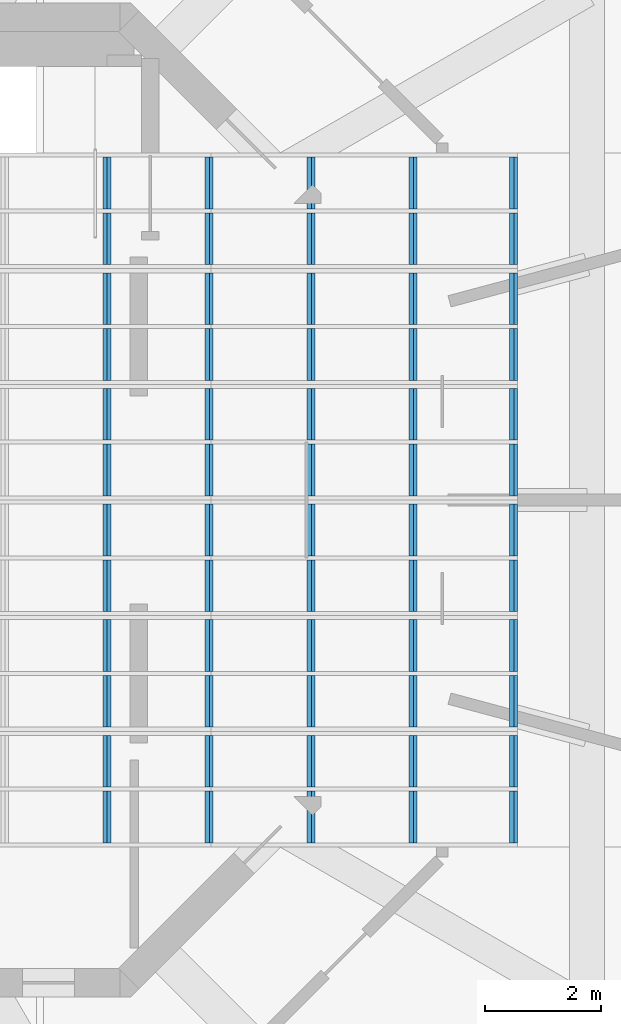
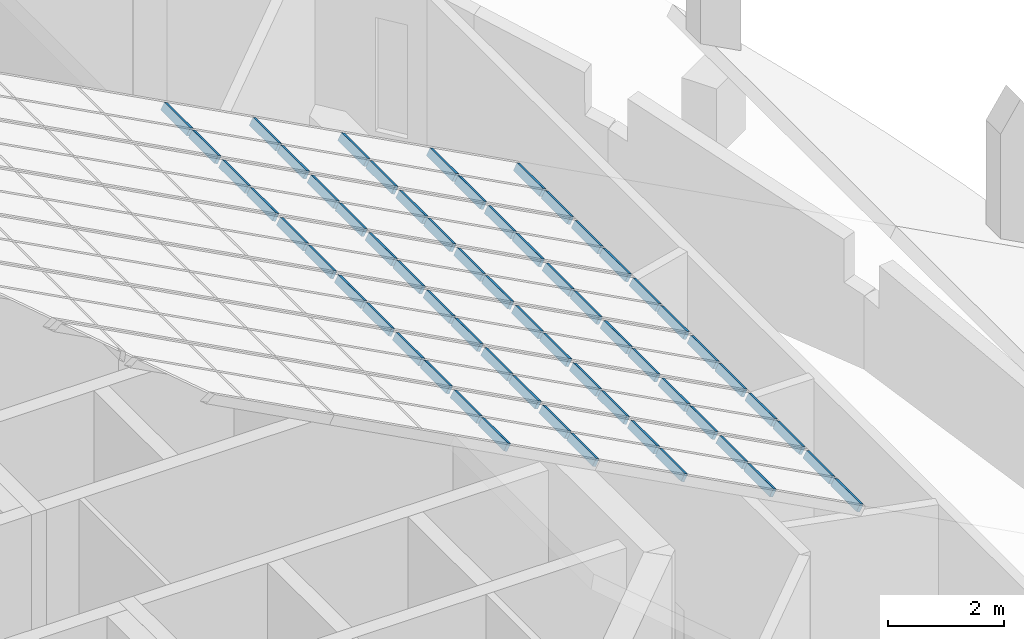
# One storey, part 7 of 19: 60 members, 6 elements without a shape of their own.
"""IFC4 building model written with IfcOpenShell, lengths in metres."""

from ifc_helpers import new_model, si_unit, direction, frame, origin, origin_2d, place, context, subcontext, project, spatial, rectangle, extrude, material, material_profile, profile_set, type_object, element, aggregate, save


model = new_model("IFC4")

# Units and contexts
model_context = context("Model", 3, precision=1e-05, world=origin(), true_north=direction((0.0, 1.0)))
body_context = subcontext(model_context, "Body", "Model", "MODEL_VIEW")
ifc_project = project(units=[si_unit("LENGTHUNIT", "METRE"), si_unit("AREAUNIT", "SQUARE_METRE"), si_unit("VOLUMEUNIT", "CUBIC_METRE"), si_unit("PLANEANGLEUNIT", "RADIAN"), si_unit("MASSUNIT", "GRAM", prefix="KILO")], contexts=[model_context])

# Site, building, storey
site_placement = place(None, origin())
site = spatial("IfcSite", under=ifc_project, at=site_placement, CompositionType="ELEMENT")
building_placement = place(site_placement, origin())
building = spatial("IfcBuilding", under=site, at=building_placement, Name="Torre Triforio", CompositionType="ELEMENT")
storey_placement = place(building_placement, frame((0.0, 0.0, 290.800048828125)))
storey = spatial("IfcBuildingStorey", under=building, at=storey_placement, Name="RF-1", CompositionType="ELEMENT", Elevation=290.800048828125)

# Curtain wall, members
ifc_material_1 = material(Name="Aluminium glazing bars with clear laminated glass", Category="aluminium")
curtain_wall_type = type_object("IfcCurtainWallType", Name="Crown lantern glazing CW4", PredefinedType="NOTDEFINED", material=ifc_material_1)
curtain_wall_1_placement = place(storey_placement, origin())
curtain_wall_1 = element("IfcCurtainWall", 1, at=curtain_wall_1_placement, inside=storey, type_object=curtain_wall_type, Name="Crown lantern run 1", PredefinedType="NOTDEFINED")
ifc_material_2 = material(Name="Anodised aluminium extrusion", Category="aluminium")
ifc_material_profile = material_profile(ifc_material_2, rectangle(XDim=0.070068359375, YDim=0.159912109375, at=origin_2d()), Name="CW4 TRANSOM 70x160")
ifc_profile_set = profile_set([ifc_material_profile], Name="Anodised aluminium extrusion")
member_type = type_object("IfcMemberType", Name="CW4 transom 70 x 160", PredefinedType="USERDEFINED", material=ifc_profile_set)
member_1_placement = place(storey_placement, frame((13.931396484375, -5.929931640625, 6.0869140625), z_axis=(0.0, 1.0, 0.0), x_axis=(-0.882947592859, 0.0, 0.469471562786)))
member_1 = element("IfcMember", 2, at=member_1_placement, type_object=member_type, Name="CW4 transom 1.1.1", ObjectType="TRANSOM", PredefinedType="USERDEFINED", context=body_context, shape_type="SweptSolid", body=[
    extrude(rectangle(XDim=0.070068359375, YDim=0.159912109375, at=origin_2d()), origin(), (0.0, 0.0, 1.0), 0.89501953125),
])
member_2_placement = place(storey_placement, frame((13.931396484375, -4.965087890625, 6.0869140625), z_axis=(0.0, 1.0, 0.0), x_axis=(-0.882947592859, 0.0, 0.469471562786)))
member_2 = element("IfcMember", 3, at=member_2_placement, type_object=member_type, Name="CW4 transom 1.1.2", ObjectType="TRANSOM", PredefinedType="USERDEFINED", context=body_context, shape_type="SweptSolid", body=[
    extrude(rectangle(XDim=0.070068359375, YDim=0.159912109375, at=origin_2d()), origin(), (0.0, 0.0, 1.0), 0.89501953125),
])
member_3_placement = place(storey_placement, frame((12.196533203125, -5.929931640625, 7.009521484375), z_axis=(0.0, 1.0, 0.0), x_axis=(-0.882947592859, 0.0, 0.469471562786)))
member_3 = element("IfcMember", 4, at=member_3_placement, type_object=member_type, Name="CW4 transom 1.2.1", ObjectType="TRANSOM", PredefinedType="USERDEFINED", context=body_context, shape_type="SweptSolid", body=[
    extrude(rectangle(XDim=0.070068359375, YDim=0.159912109375, at=origin_2d()), origin(), (0.0, 0.0, 1.0), 0.89501953125),
])
member_4_placement = place(storey_placement, frame((12.196533203125, -4.965087890625, 7.009521484375), z_axis=(0.0, 1.0, 0.0), x_axis=(-0.882947592859, 0.0, 0.469471562786)))
member_4 = element("IfcMember", 5, at=member_4_placement, type_object=member_type, Name="CW4 transom 1.2.2", ObjectType="TRANSOM", PredefinedType="USERDEFINED", context=body_context, shape_type="SweptSolid", body=[
    extrude(rectangle(XDim=0.070068359375, YDim=0.159912109375, at=origin_2d()), origin(), (0.0, 0.0, 1.0), 0.89501953125),
])
member_5_placement = place(storey_placement, frame((10.4306640625, -5.929931640625, 7.948486328125), z_axis=(0.0, 1.0, 0.0), x_axis=(-0.882947592859, 0.0, 0.469471562786)))
member_5 = element("IfcMember", 6, at=member_5_placement, type_object=member_type, Name="CW4 transom 1.3.1", ObjectType="TRANSOM", PredefinedType="USERDEFINED", context=body_context, shape_type="SweptSolid", body=[
    extrude(rectangle(XDim=0.070068359375, YDim=0.159912109375, at=origin_2d()), origin(), (0.0, 0.0, 1.0), 0.89501953125),
])
member_6_placement = place(storey_placement, frame((10.4306640625, -4.965087890625, 7.948486328125), z_axis=(0.0, 1.0, 0.0), x_axis=(-0.882947592859, 0.0, 0.469471562786)))
member_6 = element("IfcMember", 7, at=member_6_placement, type_object=member_type, Name="CW4 transom 1.3.2", ObjectType="TRANSOM", PredefinedType="USERDEFINED", context=body_context, shape_type="SweptSolid", body=[
    extrude(rectangle(XDim=0.070068359375, YDim=0.159912109375, at=origin_2d()), origin(), (0.0, 0.0, 1.0), 0.89501953125),
])
member_7_placement = place(storey_placement, frame((8.664794921875, -5.929931640625, 8.887451171875), z_axis=(0.0, 1.0, 0.0), x_axis=(-0.882947592859, 0.0, 0.469471562786)))
member_7 = element("IfcMember", 8, at=member_7_placement, type_object=member_type, Name="CW4 transom 1.4.1", ObjectType="TRANSOM", PredefinedType="USERDEFINED", context=body_context, shape_type="SweptSolid", body=[
    extrude(rectangle(XDim=0.070068359375, YDim=0.159912109375, at=origin_2d()), origin(), (0.0, 0.0, 1.0), 0.89501953125),
])
member_8_placement = place(storey_placement, frame((8.664794921875, -4.965087890625, 8.887451171875), z_axis=(0.0, 1.0, 0.0), x_axis=(-0.882947592859, 0.0, 0.469471562786)))
member_8 = element("IfcMember", 9, at=member_8_placement, type_object=member_type, Name="CW4 transom 1.4.2", ObjectType="TRANSOM", PredefinedType="USERDEFINED", context=body_context, shape_type="SweptSolid", body=[
    extrude(rectangle(XDim=0.070068359375, YDim=0.159912109375, at=origin_2d()), origin(), (0.0, 0.0, 1.0), 0.89501953125),
])
member_9_placement = place(storey_placement, frame((6.89892578125, -5.929931640625, 9.826416015625), z_axis=(0.0, 1.0, 0.0), x_axis=(-0.882947592859, 0.0, 0.469471562786)))
member_9 = element("IfcMember", 10, at=member_9_placement, type_object=member_type, Name="CW4 transom 1.5.1", ObjectType="TRANSOM", PredefinedType="USERDEFINED", context=body_context, shape_type="SweptSolid", body=[
    extrude(rectangle(XDim=0.070068359375, YDim=0.159912109375, at=origin_2d()), origin(), (0.0, 0.0, 1.0), 0.89501953125),
])
member_10_placement = place(storey_placement, frame((6.89892578125, -4.965087890625, 9.826416015625), z_axis=(0.0, 1.0, 0.0), x_axis=(-0.882947592859, 0.0, 0.469471562786)))
member_10 = element("IfcMember", 11, at=member_10_placement, type_object=member_type, Name="CW4 transom 1.5.2", ObjectType="TRANSOM", PredefinedType="USERDEFINED", context=body_context, shape_type="SweptSolid", body=[
    extrude(rectangle(XDim=0.070068359375, YDim=0.159912109375, at=origin_2d()), origin(), (0.0, 0.0, 1.0), 0.89501953125),
])
aggregate(curtain_wall_1, [member_1, member_2, member_3, member_4, member_5, member_6, member_7, member_8, member_9, member_10])

curtain_wall_2_placement = place(storey_placement, origin())
curtain_wall_2 = element("IfcCurtainWall", 12, at=curtain_wall_2_placement, inside=storey, type_object=curtain_wall_type, Name="Crown lantern run 2", PredefinedType="NOTDEFINED")
member_11_placement = place(storey_placement, frame((13.931396484375, -3.929931640625, 6.0869140625), z_axis=(0.0, 1.0, 0.0), x_axis=(-0.882947592859, 0.0, 0.469471562786)))
member_11 = element("IfcMember", 13, at=member_11_placement, type_object=member_type, Name="CW4 transom 2.1.1", ObjectType="TRANSOM", PredefinedType="USERDEFINED", context=body_context, shape_type="SweptSolid", body=[
    extrude(rectangle(XDim=0.070068359375, YDim=0.159912109375, at=origin_2d()), origin(), (0.0, 0.0, 1.0), 0.89501953125),
])
member_12_placement = place(storey_placement, frame((13.931396484375, -2.965087890625, 6.0869140625), z_axis=(0.0, 1.0, 0.0), x_axis=(-0.882947592859, 0.0, 0.469471562786)))
member_12 = element("IfcMember", 14, at=member_12_placement, type_object=member_type, Name="CW4 transom 2.1.2", ObjectType="TRANSOM", PredefinedType="USERDEFINED", context=body_context, shape_type="SweptSolid", body=[
    extrude(rectangle(XDim=0.070068359375, YDim=0.159912109375, at=origin_2d()), origin(), (0.0, 0.0, 1.0), 0.89501953125),
])
member_13_placement = place(storey_placement, frame((12.196533203125, -3.929931640625, 7.009521484375), z_axis=(0.0, 1.0, 0.0), x_axis=(-0.882947592859, 0.0, 0.469471562786)))
member_13 = element("IfcMember", 15, at=member_13_placement, type_object=member_type, Name="CW4 transom 2.2.1", ObjectType="TRANSOM", PredefinedType="USERDEFINED", context=body_context, shape_type="SweptSolid", body=[
    extrude(rectangle(XDim=0.070068359375, YDim=0.159912109375, at=origin_2d()), origin(), (0.0, 0.0, 1.0), 0.89501953125),
])
member_14_placement = place(storey_placement, frame((12.196533203125, -2.965087890625, 7.009521484375), z_axis=(0.0, 1.0, 0.0), x_axis=(-0.882947592859, 0.0, 0.469471562786)))
member_14 = element("IfcMember", 16, at=member_14_placement, type_object=member_type, Name="CW4 transom 2.2.2", ObjectType="TRANSOM", PredefinedType="USERDEFINED", context=body_context, shape_type="SweptSolid", body=[
    extrude(rectangle(XDim=0.070068359375, YDim=0.159912109375, at=origin_2d()), origin(), (0.0, 0.0, 1.0), 0.89501953125),
])
member_15_placement = place(storey_placement, frame((10.4306640625, -3.929931640625, 7.948486328125), z_axis=(0.0, 1.0, 0.0), x_axis=(-0.882947592859, 0.0, 0.469471562786)))
member_15 = element("IfcMember", 17, at=member_15_placement, type_object=member_type, Name="CW4 transom 2.3.1", ObjectType="TRANSOM", PredefinedType="USERDEFINED", context=body_context, shape_type="SweptSolid", body=[
    extrude(rectangle(XDim=0.070068359375, YDim=0.159912109375, at=origin_2d()), origin(), (0.0, 0.0, 1.0), 0.89501953125),
])
member_16_placement = place(storey_placement, frame((10.4306640625, -2.965087890625, 7.948486328125), z_axis=(0.0, 1.0, 0.0), x_axis=(-0.882947592859, 0.0, 0.469471562786)))
member_16 = element("IfcMember", 18, at=member_16_placement, type_object=member_type, Name="CW4 transom 2.3.2", ObjectType="TRANSOM", PredefinedType="USERDEFINED", context=body_context, shape_type="SweptSolid", body=[
    extrude(rectangle(XDim=0.070068359375, YDim=0.159912109375, at=origin_2d()), origin(), (0.0, 0.0, 1.0), 0.89501953125),
])
member_17_placement = place(storey_placement, frame((8.664794921875, -3.929931640625, 8.887451171875), z_axis=(0.0, 1.0, 0.0), x_axis=(-0.882947592859, 0.0, 0.469471562786)))
member_17 = element("IfcMember", 19, at=member_17_placement, type_object=member_type, Name="CW4 transom 2.4.1", ObjectType="TRANSOM", PredefinedType="USERDEFINED", context=body_context, shape_type="SweptSolid", body=[
    extrude(rectangle(XDim=0.070068359375, YDim=0.159912109375, at=origin_2d()), origin(), (0.0, 0.0, 1.0), 0.89501953125),
])
member_18_placement = place(storey_placement, frame((8.664794921875, -2.965087890625, 8.887451171875), z_axis=(0.0, 1.0, 0.0), x_axis=(-0.882947592859, 0.0, 0.469471562786)))
member_18 = element("IfcMember", 20, at=member_18_placement, type_object=member_type, Name="CW4 transom 2.4.2", ObjectType="TRANSOM", PredefinedType="USERDEFINED", context=body_context, shape_type="SweptSolid", body=[
    extrude(rectangle(XDim=0.070068359375, YDim=0.159912109375, at=origin_2d()), origin(), (0.0, 0.0, 1.0), 0.89501953125),
])
member_19_placement = place(storey_placement, frame((6.89892578125, -3.929931640625, 9.826416015625), z_axis=(0.0, 1.0, 0.0), x_axis=(-0.882947592859, 0.0, 0.469471562786)))
member_19 = element("IfcMember", 21, at=member_19_placement, type_object=member_type, Name="CW4 transom 2.5.1", ObjectType="TRANSOM", PredefinedType="USERDEFINED", context=body_context, shape_type="SweptSolid", body=[
    extrude(rectangle(XDim=0.070068359375, YDim=0.159912109375, at=origin_2d()), origin(), (0.0, 0.0, 1.0), 0.89501953125),
])
member_20_placement = place(storey_placement, frame((6.89892578125, -2.965087890625, 9.826416015625), z_axis=(0.0, 1.0, 0.0), x_axis=(-0.882947592859, 0.0, 0.469471562786)))
member_20 = element("IfcMember", 22, at=member_20_placement, type_object=member_type, Name="CW4 transom 2.5.2", ObjectType="TRANSOM", PredefinedType="USERDEFINED", context=body_context, shape_type="SweptSolid", body=[
    extrude(rectangle(XDim=0.070068359375, YDim=0.159912109375, at=origin_2d()), origin(), (0.0, 0.0, 1.0), 0.89501953125),
])
aggregate(curtain_wall_2, [member_11, member_12, member_13, member_14, member_15, member_16, member_17, member_18, member_19, member_20])

curtain_wall_3_placement = place(storey_placement, origin())
curtain_wall_3 = element("IfcCurtainWall", 23, at=curtain_wall_3_placement, inside=storey, type_object=curtain_wall_type, Name="Crown lantern run 3", PredefinedType="NOTDEFINED")
member_21_placement = place(storey_placement, frame((13.931396484375, -1.929931640625, 6.0869140625), z_axis=(0.0, 1.0, 0.0), x_axis=(-0.882947592859, 0.0, 0.469471562786)))
member_21 = element("IfcMember", 24, at=member_21_placement, type_object=member_type, Name="CW4 transom 3.1.1", ObjectType="TRANSOM", PredefinedType="USERDEFINED", context=body_context, shape_type="SweptSolid", body=[
    extrude(rectangle(XDim=0.070068359375, YDim=0.159912109375, at=origin_2d()), origin(), (0.0, 0.0, 1.0), 0.89501953125),
])
member_22_placement = place(storey_placement, frame((13.931396484375, -0.965087890625, 6.0869140625), z_axis=(0.0, 1.0, 0.0), x_axis=(-0.882947592859, 0.0, 0.469471562786)))
member_22 = element("IfcMember", 25, at=member_22_placement, type_object=member_type, Name="CW4 transom 3.1.2", ObjectType="TRANSOM", PredefinedType="USERDEFINED", context=body_context, shape_type="SweptSolid", body=[
    extrude(rectangle(XDim=0.070068359375, YDim=0.159912109375, at=origin_2d()), origin(), (0.0, 0.0, 1.0), 0.89501953125),
])
member_23_placement = place(storey_placement, frame((12.196533203125, -1.929931640625, 7.009521484375), z_axis=(0.0, 1.0, 0.0), x_axis=(-0.882947592859, 0.0, 0.469471562786)))
member_23 = element("IfcMember", 26, at=member_23_placement, type_object=member_type, Name="CW4 transom 3.2.1", ObjectType="TRANSOM", PredefinedType="USERDEFINED", context=body_context, shape_type="SweptSolid", body=[
    extrude(rectangle(XDim=0.070068359375, YDim=0.159912109375, at=origin_2d()), origin(), (0.0, 0.0, 1.0), 0.89501953125),
])
member_24_placement = place(storey_placement, frame((12.196533203125, -0.965087890625, 7.009521484375), z_axis=(0.0, 1.0, 0.0), x_axis=(-0.882947592859, 0.0, 0.469471562786)))
member_24 = element("IfcMember", 27, at=member_24_placement, type_object=member_type, Name="CW4 transom 3.2.2", ObjectType="TRANSOM", PredefinedType="USERDEFINED", context=body_context, shape_type="SweptSolid", body=[
    extrude(rectangle(XDim=0.070068359375, YDim=0.159912109375, at=origin_2d()), origin(), (0.0, 0.0, 1.0), 0.89501953125),
])
member_25_placement = place(storey_placement, frame((10.4306640625, -1.929931640625, 7.948486328125), z_axis=(0.0, 1.0, 0.0), x_axis=(-0.882947592859, 0.0, 0.469471562786)))
member_25 = element("IfcMember", 28, at=member_25_placement, type_object=member_type, Name="CW4 transom 3.3.1", ObjectType="TRANSOM", PredefinedType="USERDEFINED", context=body_context, shape_type="SweptSolid", body=[
    extrude(rectangle(XDim=0.070068359375, YDim=0.159912109375, at=origin_2d()), origin(), (0.0, 0.0, 1.0), 0.89501953125),
])
member_26_placement = place(storey_placement, frame((10.4306640625, -0.965087890625, 7.948486328125), z_axis=(0.0, 1.0, 0.0), x_axis=(-0.882947592859, 0.0, 0.469471562786)))
member_26 = element("IfcMember", 29, at=member_26_placement, type_object=member_type, Name="CW4 transom 3.3.2", ObjectType="TRANSOM", PredefinedType="USERDEFINED", context=body_context, shape_type="SweptSolid", body=[
    extrude(rectangle(XDim=0.070068359375, YDim=0.159912109375, at=origin_2d()), origin(), (0.0, 0.0, 1.0), 0.89501953125),
])
member_27_placement = place(storey_placement, frame((8.664794921875, -1.929931640625, 8.887451171875), z_axis=(0.0, 1.0, 0.0), x_axis=(-0.882947592859, 0.0, 0.469471562786)))
member_27 = element("IfcMember", 30, at=member_27_placement, type_object=member_type, Name="CW4 transom 3.4.1", ObjectType="TRANSOM", PredefinedType="USERDEFINED", context=body_context, shape_type="SweptSolid", body=[
    extrude(rectangle(XDim=0.070068359375, YDim=0.159912109375, at=origin_2d()), origin(), (0.0, 0.0, 1.0), 0.89501953125),
])
member_28_placement = place(storey_placement, frame((8.664794921875, -0.965087890625, 8.887451171875), z_axis=(0.0, 1.0, 0.0), x_axis=(-0.882947592859, 0.0, 0.469471562786)))
member_28 = element("IfcMember", 31, at=member_28_placement, type_object=member_type, Name="CW4 transom 3.4.2", ObjectType="TRANSOM", PredefinedType="USERDEFINED", context=body_context, shape_type="SweptSolid", body=[
    extrude(rectangle(XDim=0.070068359375, YDim=0.159912109375, at=origin_2d()), origin(), (0.0, 0.0, 1.0), 0.89501953125),
])
member_29_placement = place(storey_placement, frame((6.89892578125, -1.929931640625, 9.826416015625), z_axis=(0.0, 1.0, 0.0), x_axis=(-0.882947592859, 0.0, 0.469471562786)))
member_29 = element("IfcMember", 32, at=member_29_placement, type_object=member_type, Name="CW4 transom 3.5.1", ObjectType="TRANSOM", PredefinedType="USERDEFINED", context=body_context, shape_type="SweptSolid", body=[
    extrude(rectangle(XDim=0.070068359375, YDim=0.159912109375, at=origin_2d()), origin(), (0.0, 0.0, 1.0), 0.89501953125),
])
member_30_placement = place(storey_placement, frame((6.89892578125, -0.965087890625, 9.826416015625), z_axis=(0.0, 1.0, 0.0), x_axis=(-0.882947592859, 0.0, 0.469471562786)))
member_30 = element("IfcMember", 33, at=member_30_placement, type_object=member_type, Name="CW4 transom 3.5.2", ObjectType="TRANSOM", PredefinedType="USERDEFINED", context=body_context, shape_type="SweptSolid", body=[
    extrude(rectangle(XDim=0.070068359375, YDim=0.159912109375, at=origin_2d()), origin(), (0.0, 0.0, 1.0), 0.89501953125),
])
aggregate(curtain_wall_3, [member_21, member_22, member_23, member_24, member_25, member_26, member_27, member_28, member_29, member_30])

curtain_wall_4_placement = place(storey_placement, origin())
curtain_wall_4 = element("IfcCurtainWall", 34, at=curtain_wall_4_placement, inside=storey, type_object=curtain_wall_type, Name="Crown lantern run 5", PredefinedType="NOTDEFINED")
member_31_placement = place(storey_placement, frame((13.931396484375, 0.070068359375, 6.0869140625), z_axis=(0.0, 1.0, 0.0), x_axis=(-0.882947592859, 0.0, 0.469471562786)))
member_31 = element("IfcMember", 35, at=member_31_placement, type_object=member_type, Name="CW4 transom 5.1.1", ObjectType="TRANSOM", PredefinedType="USERDEFINED", context=body_context, shape_type="SweptSolid", body=[
    extrude(rectangle(XDim=0.070068359375, YDim=0.159912109375, at=origin_2d()), origin(), (0.0, 0.0, 1.0), 0.89501953125),
])
member_32_placement = place(storey_placement, frame((13.931396484375, 1.034912109375, 6.0869140625), z_axis=(0.0, 1.0, 0.0), x_axis=(-0.882947592859, 0.0, 0.469471562786)))
member_32 = element("IfcMember", 36, at=member_32_placement, type_object=member_type, Name="CW4 transom 5.1.2", ObjectType="TRANSOM", PredefinedType="USERDEFINED", context=body_context, shape_type="SweptSolid", body=[
    extrude(rectangle(XDim=0.070068359375, YDim=0.159912109375, at=origin_2d()), origin(), (0.0, 0.0, 1.0), 0.89501953125),
])
member_33_placement = place(storey_placement, frame((12.196533203125, 0.070068359375, 7.009521484375), z_axis=(0.0, 1.0, 0.0), x_axis=(-0.882947592859, 0.0, 0.469471562786)))
member_33 = element("IfcMember", 37, at=member_33_placement, type_object=member_type, Name="CW4 transom 5.2.1", ObjectType="TRANSOM", PredefinedType="USERDEFINED", context=body_context, shape_type="SweptSolid", body=[
    extrude(rectangle(XDim=0.070068359375, YDim=0.159912109375, at=origin_2d()), origin(), (0.0, 0.0, 1.0), 0.89501953125),
])
member_34_placement = place(storey_placement, frame((12.196533203125, 1.034912109375, 7.009521484375), z_axis=(0.0, 1.0, 0.0), x_axis=(-0.882947592859, 0.0, 0.469471562786)))
member_34 = element("IfcMember", 38, at=member_34_placement, type_object=member_type, Name="CW4 transom 5.2.2", ObjectType="TRANSOM", PredefinedType="USERDEFINED", context=body_context, shape_type="SweptSolid", body=[
    extrude(rectangle(XDim=0.070068359375, YDim=0.159912109375, at=origin_2d()), origin(), (0.0, 0.0, 1.0), 0.89501953125),
])
member_35_placement = place(storey_placement, frame((10.4306640625, 0.070068359375, 7.948486328125), z_axis=(0.0, 1.0, 0.0), x_axis=(-0.882947592859, 0.0, 0.469471562786)))
member_35 = element("IfcMember", 39, at=member_35_placement, type_object=member_type, Name="CW4 transom 5.3.1", ObjectType="TRANSOM", PredefinedType="USERDEFINED", context=body_context, shape_type="SweptSolid", body=[
    extrude(rectangle(XDim=0.070068359375, YDim=0.159912109375, at=origin_2d()), origin(), (0.0, 0.0, 1.0), 0.89501953125),
])
member_36_placement = place(storey_placement, frame((10.4306640625, 1.034912109375, 7.948486328125), z_axis=(0.0, 1.0, 0.0), x_axis=(-0.882947592859, 0.0, 0.469471562786)))
member_36 = element("IfcMember", 40, at=member_36_placement, type_object=member_type, Name="CW4 transom 5.3.2", ObjectType="TRANSOM", PredefinedType="USERDEFINED", context=body_context, shape_type="SweptSolid", body=[
    extrude(rectangle(XDim=0.070068359375, YDim=0.159912109375, at=origin_2d()), origin(), (0.0, 0.0, 1.0), 0.89501953125),
])
member_37_placement = place(storey_placement, frame((8.664794921875, 0.070068359375, 8.887451171875), z_axis=(0.0, 1.0, 0.0), x_axis=(-0.882947592859, 0.0, 0.469471562786)))
member_37 = element("IfcMember", 41, at=member_37_placement, type_object=member_type, Name="CW4 transom 5.4.1", ObjectType="TRANSOM", PredefinedType="USERDEFINED", context=body_context, shape_type="SweptSolid", body=[
    extrude(rectangle(XDim=0.070068359375, YDim=0.159912109375, at=origin_2d()), origin(), (0.0, 0.0, 1.0), 0.89501953125),
])
member_38_placement = place(storey_placement, frame((8.664794921875, 1.034912109375, 8.887451171875), z_axis=(0.0, 1.0, 0.0), x_axis=(-0.882947592859, 0.0, 0.469471562786)))
member_38 = element("IfcMember", 42, at=member_38_placement, type_object=member_type, Name="CW4 transom 5.4.2", ObjectType="TRANSOM", PredefinedType="USERDEFINED", context=body_context, shape_type="SweptSolid", body=[
    extrude(rectangle(XDim=0.070068359375, YDim=0.159912109375, at=origin_2d()), origin(), (0.0, 0.0, 1.0), 0.89501953125),
])
member_39_placement = place(storey_placement, frame((6.89892578125, 0.070068359375, 9.826416015625), z_axis=(0.0, 1.0, 0.0), x_axis=(-0.882947592859, 0.0, 0.469471562786)))
member_39 = element("IfcMember", 43, at=member_39_placement, type_object=member_type, Name="CW4 transom 5.5.1", ObjectType="TRANSOM", PredefinedType="USERDEFINED", context=body_context, shape_type="SweptSolid", body=[
    extrude(rectangle(XDim=0.070068359375, YDim=0.159912109375, at=origin_2d()), origin(), (0.0, 0.0, 1.0), 0.89501953125),
])
member_40_placement = place(storey_placement, frame((6.89892578125, 1.034912109375, 9.826416015625), z_axis=(0.0, 1.0, 0.0), x_axis=(-0.882947592859, 0.0, 0.469471562786)))
member_40 = element("IfcMember", 44, at=member_40_placement, type_object=member_type, Name="CW4 transom 5.5.2", ObjectType="TRANSOM", PredefinedType="USERDEFINED", context=body_context, shape_type="SweptSolid", body=[
    extrude(rectangle(XDim=0.070068359375, YDim=0.159912109375, at=origin_2d()), origin(), (0.0, 0.0, 1.0), 0.89501953125),
])
aggregate(curtain_wall_4, [member_31, member_32, member_33, member_34, member_35, member_36, member_37, member_38, member_39, member_40])

curtain_wall_5_placement = place(storey_placement, origin())
curtain_wall_5 = element("IfcCurtainWall", 45, at=curtain_wall_5_placement, inside=storey, type_object=curtain_wall_type, Name="Crown lantern run 7", PredefinedType="NOTDEFINED")
member_41_placement = place(storey_placement, frame((13.931396484375, 2.070068359375, 6.0869140625), z_axis=(0.0, 1.0, 0.0), x_axis=(-0.882947592859, 0.0, 0.469471562786)))
member_41 = element("IfcMember", 46, at=member_41_placement, type_object=member_type, Name="CW4 transom 7.1.1", ObjectType="TRANSOM", PredefinedType="USERDEFINED", context=body_context, shape_type="SweptSolid", body=[
    extrude(rectangle(XDim=0.070068359375, YDim=0.159912109375, at=origin_2d()), origin(), (0.0, 0.0, 1.0), 0.89501953125),
])
member_42_placement = place(storey_placement, frame((13.931396484375, 3.034912109375, 6.0869140625), z_axis=(0.0, 1.0, 0.0), x_axis=(-0.882947592859, 0.0, 0.469471562786)))
member_42 = element("IfcMember", 47, at=member_42_placement, type_object=member_type, Name="CW4 transom 7.1.2", ObjectType="TRANSOM", PredefinedType="USERDEFINED", context=body_context, shape_type="SweptSolid", body=[
    extrude(rectangle(XDim=0.070068359375, YDim=0.159912109375, at=origin_2d()), origin(), (0.0, 0.0, 1.0), 0.89501953125),
])
member_43_placement = place(storey_placement, frame((12.196533203125, 2.070068359375, 7.009521484375), z_axis=(0.0, 1.0, 0.0), x_axis=(-0.882947592859, 0.0, 0.469471562786)))
member_43 = element("IfcMember", 48, at=member_43_placement, type_object=member_type, Name="CW4 transom 7.2.1", ObjectType="TRANSOM", PredefinedType="USERDEFINED", context=body_context, shape_type="SweptSolid", body=[
    extrude(rectangle(XDim=0.070068359375, YDim=0.159912109375, at=origin_2d()), origin(), (0.0, 0.0, 1.0), 0.89501953125),
])
member_44_placement = place(storey_placement, frame((12.196533203125, 3.034912109375, 7.009521484375), z_axis=(0.0, 1.0, 0.0), x_axis=(-0.882947592859, 0.0, 0.469471562786)))
member_44 = element("IfcMember", 49, at=member_44_placement, type_object=member_type, Name="CW4 transom 7.2.2", ObjectType="TRANSOM", PredefinedType="USERDEFINED", context=body_context, shape_type="SweptSolid", body=[
    extrude(rectangle(XDim=0.070068359375, YDim=0.159912109375, at=origin_2d()), origin(), (0.0, 0.0, 1.0), 0.89501953125),
])
member_45_placement = place(storey_placement, frame((10.4306640625, 2.070068359375, 7.948486328125), z_axis=(0.0, 1.0, 0.0), x_axis=(-0.882947592859, 0.0, 0.469471562786)))
member_45 = element("IfcMember", 50, at=member_45_placement, type_object=member_type, Name="CW4 transom 7.3.1", ObjectType="TRANSOM", PredefinedType="USERDEFINED", context=body_context, shape_type="SweptSolid", body=[
    extrude(rectangle(XDim=0.070068359375, YDim=0.159912109375, at=origin_2d()), origin(), (0.0, 0.0, 1.0), 0.89501953125),
])
member_46_placement = place(storey_placement, frame((10.4306640625, 3.034912109375, 7.948486328125), z_axis=(0.0, 1.0, 0.0), x_axis=(-0.882947592859, 0.0, 0.469471562786)))
member_46 = element("IfcMember", 51, at=member_46_placement, type_object=member_type, Name="CW4 transom 7.3.2", ObjectType="TRANSOM", PredefinedType="USERDEFINED", context=body_context, shape_type="SweptSolid", body=[
    extrude(rectangle(XDim=0.070068359375, YDim=0.159912109375, at=origin_2d()), origin(), (0.0, 0.0, 1.0), 0.89501953125),
])
member_47_placement = place(storey_placement, frame((8.664794921875, 2.070068359375, 8.887451171875), z_axis=(0.0, 1.0, 0.0), x_axis=(-0.882947592859, 0.0, 0.469471562786)))
member_47 = element("IfcMember", 52, at=member_47_placement, type_object=member_type, Name="CW4 transom 7.4.1", ObjectType="TRANSOM", PredefinedType="USERDEFINED", context=body_context, shape_type="SweptSolid", body=[
    extrude(rectangle(XDim=0.070068359375, YDim=0.159912109375, at=origin_2d()), origin(), (0.0, 0.0, 1.0), 0.89501953125),
])
member_48_placement = place(storey_placement, frame((8.664794921875, 3.034912109375, 8.887451171875), z_axis=(0.0, 1.0, 0.0), x_axis=(-0.882947592859, 0.0, 0.469471562786)))
member_48 = element("IfcMember", 53, at=member_48_placement, type_object=member_type, Name="CW4 transom 7.4.2", ObjectType="TRANSOM", PredefinedType="USERDEFINED", context=body_context, shape_type="SweptSolid", body=[
    extrude(rectangle(XDim=0.070068359375, YDim=0.159912109375, at=origin_2d()), origin(), (0.0, 0.0, 1.0), 0.89501953125),
])
member_49_placement = place(storey_placement, frame((6.89892578125, 2.070068359375, 9.826416015625), z_axis=(0.0, 1.0, 0.0), x_axis=(-0.882947592859, 0.0, 0.469471562786)))
member_49 = element("IfcMember", 54, at=member_49_placement, type_object=member_type, Name="CW4 transom 7.5.1", ObjectType="TRANSOM", PredefinedType="USERDEFINED", context=body_context, shape_type="SweptSolid", body=[
    extrude(rectangle(XDim=0.070068359375, YDim=0.159912109375, at=origin_2d()), origin(), (0.0, 0.0, 1.0), 0.89501953125),
])
member_50_placement = place(storey_placement, frame((6.89892578125, 3.034912109375, 9.826416015625), z_axis=(0.0, 1.0, 0.0), x_axis=(-0.882947592859, 0.0, 0.469471562786)))
member_50 = element("IfcMember", 55, at=member_50_placement, type_object=member_type, Name="CW4 transom 7.5.2", ObjectType="TRANSOM", PredefinedType="USERDEFINED", context=body_context, shape_type="SweptSolid", body=[
    extrude(rectangle(XDim=0.070068359375, YDim=0.159912109375, at=origin_2d()), origin(), (0.0, 0.0, 1.0), 0.89501953125),
])
aggregate(curtain_wall_5, [member_41, member_42, member_43, member_44, member_45, member_46, member_47, member_48, member_49, member_50])

curtain_wall_6_placement = place(storey_placement, origin())
curtain_wall_6 = element("IfcCurtainWall", 56, at=curtain_wall_6_placement, inside=storey, type_object=curtain_wall_type, Name="Crown lantern run 8", PredefinedType="NOTDEFINED")
member_51_placement = place(storey_placement, frame((13.931396484375, 4.070068359375, 6.0869140625), z_axis=(0.0, 1.0, 0.0), x_axis=(-0.882947592859, 0.0, 0.469471562786)))
member_51 = element("IfcMember", 57, at=member_51_placement, type_object=member_type, Name="CW4 transom 8.1.1", ObjectType="TRANSOM", PredefinedType="USERDEFINED", context=body_context, shape_type="SweptSolid", body=[
    extrude(rectangle(XDim=0.070068359375, YDim=0.159912109375, at=origin_2d()), origin(), (0.0, 0.0, 1.0), 0.89501953125),
])
member_52_placement = place(storey_placement, frame((13.931396484375, 5.034912109375, 6.0869140625), z_axis=(0.0, 1.0, 0.0), x_axis=(-0.882947592859, 0.0, 0.469471562786)))
member_52 = element("IfcMember", 58, at=member_52_placement, type_object=member_type, Name="CW4 transom 8.1.2", ObjectType="TRANSOM", PredefinedType="USERDEFINED", context=body_context, shape_type="SweptSolid", body=[
    extrude(rectangle(XDim=0.070068359375, YDim=0.159912109375, at=origin_2d()), origin(), (0.0, 0.0, 1.0), 0.89501953125),
])
member_53_placement = place(storey_placement, frame((12.196533203125, 4.070068359375, 7.009521484375), z_axis=(0.0, 1.0, 0.0), x_axis=(-0.882947592859, 0.0, 0.469471562786)))
member_53 = element("IfcMember", 59, at=member_53_placement, type_object=member_type, Name="CW4 transom 8.2.1", ObjectType="TRANSOM", PredefinedType="USERDEFINED", context=body_context, shape_type="SweptSolid", body=[
    extrude(rectangle(XDim=0.070068359375, YDim=0.159912109375, at=origin_2d()), origin(), (0.0, 0.0, 1.0), 0.89501953125),
])
member_54_placement = place(storey_placement, frame((12.196533203125, 5.034912109375, 7.009521484375), z_axis=(0.0, 1.0, 0.0), x_axis=(-0.882947592859, 0.0, 0.469471562786)))
member_54 = element("IfcMember", 60, at=member_54_placement, type_object=member_type, Name="CW4 transom 8.2.2", ObjectType="TRANSOM", PredefinedType="USERDEFINED", context=body_context, shape_type="SweptSolid", body=[
    extrude(rectangle(XDim=0.070068359375, YDim=0.159912109375, at=origin_2d()), origin(), (0.0, 0.0, 1.0), 0.89501953125),
])
member_55_placement = place(storey_placement, frame((10.4306640625, 4.070068359375, 7.948486328125), z_axis=(0.0, 1.0, 0.0), x_axis=(-0.882947592859, 0.0, 0.469471562786)))
member_55 = element("IfcMember", 61, at=member_55_placement, type_object=member_type, Name="CW4 transom 8.3.1", ObjectType="TRANSOM", PredefinedType="USERDEFINED", context=body_context, shape_type="SweptSolid", body=[
    extrude(rectangle(XDim=0.070068359375, YDim=0.159912109375, at=origin_2d()), origin(), (0.0, 0.0, 1.0), 0.89501953125),
])
member_56_placement = place(storey_placement, frame((10.4306640625, 5.034912109375, 7.948486328125), z_axis=(0.0, 1.0, 0.0), x_axis=(-0.882947592859, 0.0, 0.469471562786)))
member_56 = element("IfcMember", 62, at=member_56_placement, type_object=member_type, Name="CW4 transom 8.3.2", ObjectType="TRANSOM", PredefinedType="USERDEFINED", context=body_context, shape_type="SweptSolid", body=[
    extrude(rectangle(XDim=0.070068359375, YDim=0.159912109375, at=origin_2d()), origin(), (0.0, 0.0, 1.0), 0.89501953125),
])
member_57_placement = place(storey_placement, frame((8.664794921875, 4.070068359375, 8.887451171875), z_axis=(0.0, 1.0, 0.0), x_axis=(-0.882947592859, 0.0, 0.469471562786)))
member_57 = element("IfcMember", 63, at=member_57_placement, type_object=member_type, Name="CW4 transom 8.4.1", ObjectType="TRANSOM", PredefinedType="USERDEFINED", context=body_context, shape_type="SweptSolid", body=[
    extrude(rectangle(XDim=0.070068359375, YDim=0.159912109375, at=origin_2d()), origin(), (0.0, 0.0, 1.0), 0.89501953125),
])
member_58_placement = place(storey_placement, frame((8.664794921875, 5.034912109375, 8.887451171875), z_axis=(0.0, 1.0, 0.0), x_axis=(-0.882947592859, 0.0, 0.469471562786)))
member_58 = element("IfcMember", 64, at=member_58_placement, type_object=member_type, Name="CW4 transom 8.4.2", ObjectType="TRANSOM", PredefinedType="USERDEFINED", context=body_context, shape_type="SweptSolid", body=[
    extrude(rectangle(XDim=0.070068359375, YDim=0.159912109375, at=origin_2d()), origin(), (0.0, 0.0, 1.0), 0.89501953125),
])
member_59_placement = place(storey_placement, frame((6.89892578125, 4.070068359375, 9.826416015625), z_axis=(0.0, 1.0, 0.0), x_axis=(-0.882947592859, 0.0, 0.469471562786)))
member_59 = element("IfcMember", 65, at=member_59_placement, type_object=member_type, Name="CW4 transom 8.5.1", ObjectType="TRANSOM", PredefinedType="USERDEFINED", context=body_context, shape_type="SweptSolid", body=[
    extrude(rectangle(XDim=0.070068359375, YDim=0.159912109375, at=origin_2d()), origin(), (0.0, 0.0, 1.0), 0.89501953125),
])
member_60_placement = place(storey_placement, frame((6.89892578125, 5.034912109375, 9.826416015625), z_axis=(0.0, 1.0, 0.0), x_axis=(-0.882947592859, 0.0, 0.469471562786)))
member_60 = element("IfcMember", 66, at=member_60_placement, type_object=member_type, Name="CW4 transom 8.5.2", ObjectType="TRANSOM", PredefinedType="USERDEFINED", context=body_context, shape_type="SweptSolid", body=[
    extrude(rectangle(XDim=0.070068359375, YDim=0.159912109375, at=origin_2d()), origin(), (0.0, 0.0, 1.0), 0.89501953125),
])
aggregate(curtain_wall_6, [member_51, member_52, member_53, member_54, member_55, member_56, member_57, member_58, member_59, member_60])

save(model, "model.ifc")
